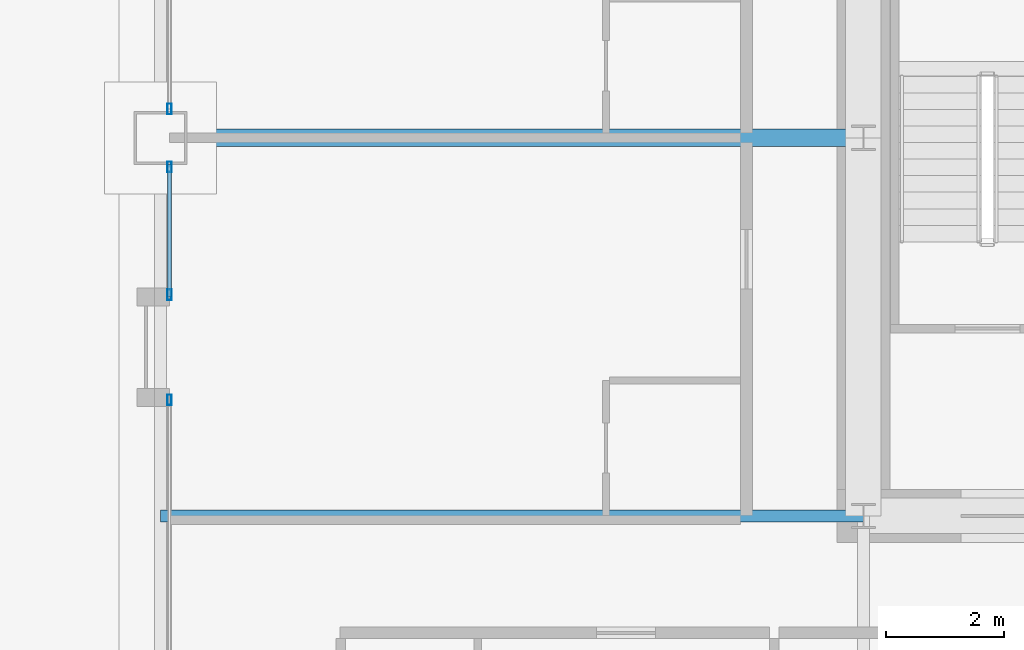
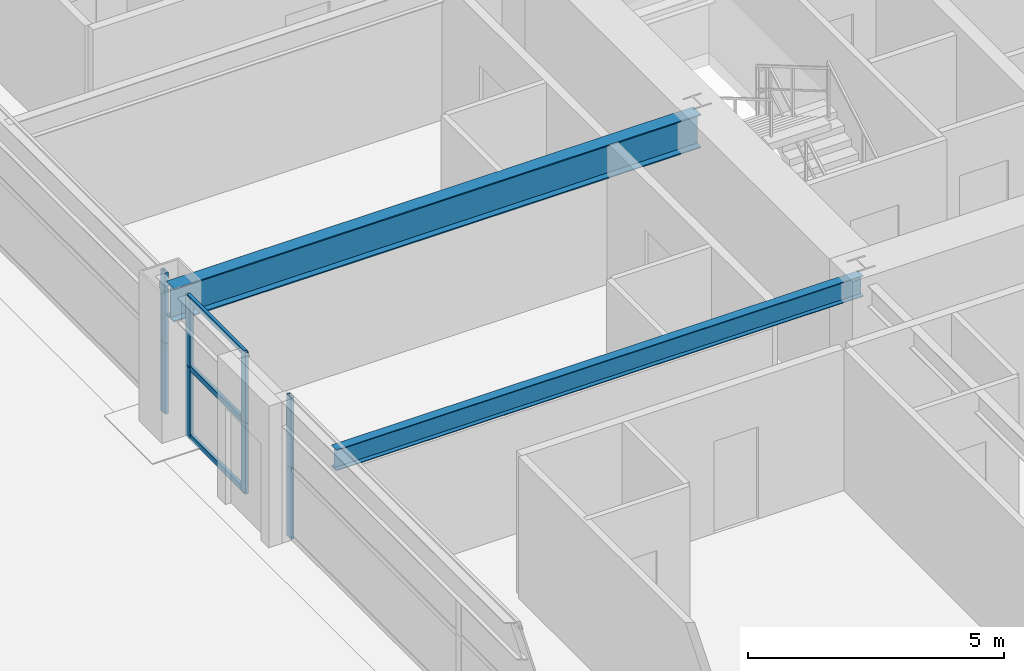
# One storey, part 11 of 45: 11 members, 2 beams, 3 elements without a shape of their own.
"""IFC4 building model written with IfcOpenShell, lengths in metres."""

from ifc_helpers import new_model, si_unit, direction, frame, origin, origin_2d, place, context, subcontext, project, spatial, hollow_rectangle, i_section, extrude, source, transform, mapped, material, layer, layer_set, material_profile, profile_set, type_object, element, aggregate, save


model = new_model("IFC4")

# Units and contexts
model_context = context("Model", 3, precision=1e-05, world=origin(), true_north=direction((0.0, 1.0)))
body_context = subcontext(model_context, "Body", "Model", "MODEL_VIEW")
ifc_project = project(units=[si_unit("LENGTHUNIT", "METRE"), si_unit("AREAUNIT", "SQUARE_METRE"), si_unit("VOLUMEUNIT", "CUBIC_METRE"), si_unit("PLANEANGLEUNIT", "RADIAN"), si_unit("MASSUNIT", "GRAM", prefix="KILO"), si_unit("THERMODYNAMICTEMPERATUREUNIT", "KELVIN"), si_unit("POWERUNIT", "WATT")], contexts=[model_context])

# Site, building, storey
site_placement = place(None, origin())
site = spatial("IfcSite", under=ifc_project, at=site_placement, CompositionType="ELEMENT")
building_placement = place(site_placement, origin())
building = spatial("IfcBuilding", under=site, at=building_placement, Name="Yuzanri Waterfront Tower", CompositionType="ELEMENT")
storey_placement = place(building_placement, frame((0.0, 0.0, 30.60009765625)))
storey = spatial("IfcBuildingStorey", under=building, at=storey_placement, Name="L07", CompositionType="ELEMENT", Elevation=30.60009765625)

# Beams
ifc_material_1 = material(Name="Steel Q355B", Category="steel")
ifc_material_profile_1 = material_profile(ifc_material_1, i_section(OverallWidth=0.300048828125, OverallDepth=0.800048828125, WebThickness=0.013916015625, FlangeThickness=0.02587890625, at=origin_2d()), Name="HN 800x300x14x26")
ifc_profile_set_1 = profile_set([ifc_material_profile_1], Name="Steel Q355B")
beam_type_1 = type_object("IfcBeamType", Name="Primary Floor Girder Q355B HN 800x300", PredefinedType="BEAM", material=ifc_profile_set_1)
shared_shape_1 = source(origin(), body_context, "Body", "SweptSolid", [
    extrude(i_section(OverallWidth=0.300048828125, OverallDepth=0.800048828125, WebThickness=0.013916015625, FlangeThickness=0.02587890625, at=origin_2d()), origin(), (0.0, 0.0, 1.0), 11.900146484375),
])
beam_1_placement = place(storey_placement, frame((23.800048828125, 25.800048828125, 2.97998046875), z_axis=(-1.0, 0.0, 0.0), x_axis=(0.0, -1.0, 0.0)))
element("IfcBeam", 1, at=beam_1_placement, inside=storey, type_object=beam_type_1, Name="L07 West Grid Girder", PredefinedType="BEAM", context=body_context, shape_type="MappedRepresentation", body=[
    mapped(shared_shape_1, transform((0.0, 0.0, 0.0), scale=1.0)),
])
ifc_material_2 = material(Name="Steel Q355B", Category="steel")
ifc_material_profile_2 = material_profile(ifc_material_2, i_section(OverallWidth=0.199951171875, OverallDepth=0.5, WebThickness=0.010009765625, FlangeThickness=0.01611328125, at=origin_2d()), Name="HN 500x200x10x16")
ifc_profile_set_2 = profile_set([ifc_material_profile_2], Name="Steel Q355B")
beam_type_2 = type_object("IfcBeamType", Name="Secondary Floor Beam Q355B HN 500x200", PredefinedType="BEAM", material=ifc_profile_set_2)
shared_shape_2 = source(origin(), body_context, "Body", "SweptSolid", [
    extrude(i_section(OverallWidth=0.199951171875, OverallDepth=0.5, WebThickness=0.010009765625, FlangeThickness=0.01611328125, at=origin_2d()), origin(), (0.0, 0.0, 1.0), 11.900146484375),
])
beam_2_placement = place(storey_placement, frame((23.800048828125, 19.39990234375, 3.1298828125), z_axis=(-1.0, 0.0, 0.0), x_axis=(0.0, -1.0, 0.0)))
element("IfcBeam", 2, at=beam_2_placement, inside=storey, type_object=beam_type_2, Name="L07 West-South Core Line Beam", PredefinedType="BEAM", context=body_context, shape_type="MappedRepresentation", body=[
    mapped(shared_shape_2, transform((0.0, 0.0, 0.0), scale=1.0)),
])

# Curtain wall, members
ifc_material_3 = material(Name="Anodized Architectural Bronze", Category="metal")
ifc_layer = layer(ifc_material_3, 0.159912109375)
ifc_layer_set = layer_set([ifc_layer], Name="Anodized Architectural Bronze")
curtain_wall_type = type_object("IfcCurtainWallType", Name="Anodized Bronze Hotel Lower-Tier Recessed Unitized Curtain Wall 8100", PredefinedType="NOTDEFINED", material=ifc_layer_set)
curtain_wall_1_placement = place(storey_placement, origin())
curtain_wall_1 = element("IfcCurtainWall", 3, at=curtain_wall_1_placement, inside=storey, type_object=curtain_wall_type, Name="L07 Curtain Wall CW-L07-WL1", PredefinedType="NOTDEFINED")
ifc_material_4 = material(Name="Anodized Architectural Bronze", Category="metal")
ifc_material_profile_3 = material_profile(ifc_material_4, hollow_rectangle(XDim=0.070068359375, YDim=0.179931640625, WallThickness=0.00390625, at=origin_2d()), Name="CWM 70x180")
ifc_profile_set_3 = profile_set([ifc_material_profile_3], Name="Anodized Architectural Bronze")
member_type_1 = type_object("IfcMemberType", Name="Anodized Bronze Standard Curtain-Wall Mullion 70x180", PredefinedType="MULLION", material=ifc_profile_set_3)
shared_shape_3 = source(origin(), body_context, "Body", "SweptSolid", [
    extrude(hollow_rectangle(XDim=0.070068359375, YDim=0.179931640625, WallThickness=0.00390625, at=origin_2d()), origin(), (0.0, 0.0, 1.0), 1.68798828125),
])
member_1_placement = place(storey_placement, frame((12.050048828125, 21.364990234375, 0.0), z_axis=(0.0, 0.0, 1.0), x_axis=(1.0, 0.0, 0.0)))
member_1 = element("IfcMember", 4, at=member_1_placement, type_object=member_type_1, Name="CW-L07-WL1 Lower Mullion 02", PredefinedType="MULLION", context=body_context, shape_type="MappedRepresentation", body=[
    mapped(shared_shape_3, transform((0.0, 0.0, 0.0), scale=1.0)),
])
member_2_placement = place(storey_placement, frame((12.050048828125, 21.364990234375, 1.69189453125), z_axis=(0.0, 0.0, 1.0), x_axis=(1.0, 0.0, 0.0)))
member_2 = element("IfcMember", 5, at=member_2_placement, type_object=member_type_1, Name="CW-L07-WL1 Upper Mullion 02", PredefinedType="MULLION", context=body_context, shape_type="MappedRepresentation", body=[
    mapped(shared_shape_3, transform((0.0, 0.0, 0.0), scale=1.0)),
])
aggregate(curtain_wall_1, [member_1, member_2])

curtain_wall_2_placement = place(storey_placement, origin())
curtain_wall_2 = element("IfcCurtainWall", 6, at=curtain_wall_2_placement, inside=storey, type_object=curtain_wall_type, Name="L07 Curtain Wall CW-L07-WL2", PredefinedType="NOTDEFINED")
member_3_placement = place(storey_placement, frame((12.050048828125, 23.14501953125, 0.0), z_axis=(0.0, 0.0, 1.0), x_axis=(1.0, 0.0, 0.0)))
member_3 = element("IfcMember", 7, at=member_3_placement, type_object=member_type_1, Name="CW-L07-WL2 Lower Mullion 00", PredefinedType="MULLION", context=body_context, shape_type="MappedRepresentation", body=[
    mapped(shared_shape_3, transform((0.0, 0.0, 0.0), scale=1.0)),
])
member_4_placement = place(storey_placement, frame((12.050048828125, 23.14501953125, 1.69189453125), z_axis=(0.0, 0.0, 1.0), x_axis=(1.0, 0.0, 0.0)))
member_4 = element("IfcMember", 8, at=member_4_placement, type_object=member_type_1, Name="CW-L07-WL2 Upper Mullion 00", PredefinedType="MULLION", context=body_context, shape_type="MappedRepresentation", body=[
    mapped(shared_shape_3, transform((0.0, 0.0, 0.0), scale=1.0)),
])
member_5_placement = place(storey_placement, frame((12.050048828125, 25.31005859375, 0.0), z_axis=(0.0, 0.0, 1.0), x_axis=(1.0, 0.0, 0.0)))
member_5 = element("IfcMember", 9, at=member_5_placement, type_object=member_type_1, Name="CW-L07-WL2 Lower Mullion 01", PredefinedType="MULLION", context=body_context, shape_type="MappedRepresentation", body=[
    mapped(shared_shape_3, transform((0.0, 0.0, 0.0), scale=1.0)),
])
member_6_placement = place(storey_placement, frame((12.050048828125, 25.31005859375, 1.69189453125), z_axis=(0.0, 0.0, 1.0), x_axis=(1.0, 0.0, 0.0)))
member_6 = element("IfcMember", 10, at=member_6_placement, type_object=member_type_1, Name="CW-L07-WL2 Upper Mullion 01", PredefinedType="MULLION", context=body_context, shape_type="MappedRepresentation", body=[
    mapped(shared_shape_3, transform((0.0, 0.0, 0.0), scale=1.0)),
])

curtain_wall_3_placement = place(storey_placement, origin())
curtain_wall_3 = element("IfcCurtainWall", 11, at=curtain_wall_3_placement, inside=storey, type_object=curtain_wall_type, Name="L07 Curtain Wall CW-L07-WR", PredefinedType="NOTDEFINED")
member_7_placement = place(storey_placement, frame((12.050048828125, 26.2900390625, 0.0), z_axis=(0.0, 0.0, 1.0), x_axis=(1.0, 0.0, 0.0)))
member_7 = element("IfcMember", 12, at=member_7_placement, type_object=member_type_1, Name="CW-L07-WR Lower Mullion 00", PredefinedType="MULLION", context=body_context, shape_type="MappedRepresentation", body=[
    mapped(shared_shape_3, transform((0.0, 0.0, 0.0), scale=1.0)),
])
member_8_placement = place(storey_placement, frame((12.050048828125, 26.2900390625, 1.69189453125), z_axis=(0.0, 0.0, 1.0), x_axis=(1.0, 0.0, 0.0)))
member_8 = element("IfcMember", 13, at=member_8_placement, type_object=member_type_1, Name="CW-L07-WR Upper Mullion 00", PredefinedType="MULLION", context=body_context, shape_type="MappedRepresentation", body=[
    mapped(shared_shape_3, transform((0.0, 0.0, 0.0), scale=1.0)),
])
aggregate(curtain_wall_3, [member_7, member_8])

# Member
ifc_material_5 = material(Name="Anodized Architectural Bronze", Category="metal")
ifc_material_profile_4 = material_profile(ifc_material_5, hollow_rectangle(XDim=0.070068359375, YDim=0.135009765625, WallThickness=0.00341796875, at=origin_2d()), Name="CWT 70x135")
ifc_profile_set_4 = profile_set([ifc_material_profile_4], Name="Anodized Architectural Bronze")
member_type_2 = type_object("IfcMemberType", Name="Anodized Bronze Standard Curtain-Wall Transom 70x135", PredefinedType="USERDEFINED", material=ifc_profile_set_4)
shared_shape_4 = source(origin(), body_context, "Body", "SweptSolid", [
    extrude(hollow_rectangle(XDim=0.070068359375, YDim=0.135009765625, WallThickness=0.00341796875, at=origin_2d()), origin(), (0.0, 0.0, 1.0), 2.2451171875),
])
member_9_placement = place(storey_placement, frame((12.050048828125, 23.10498046875, 0.0498046875), z_axis=(0.0, 1.0, 0.0), x_axis=(-1.0, 0.0, 0.0)))
member_9 = element("IfcMember", 14, at=member_9_placement, type_object=member_type_2, Name="CW-L07-WL2 Transom 1", ObjectType="TRANSOM", PredefinedType="USERDEFINED", context=body_context, shape_type="MappedRepresentation", body=[
    mapped(shared_shape_4, transform((0.0, 0.0, 0.0), scale=1.0)),
])

member_10_placement = place(storey_placement, frame((12.050048828125, 23.10498046875, 1.68994140625), z_axis=(0.0, 1.0, 0.0), x_axis=(-1.0, 0.0, 0.0)))
member_10 = element("IfcMember", 15, at=member_10_placement, type_object=member_type_2, Name="CW-L07-WL2 Transom 2", ObjectType="TRANSOM", PredefinedType="USERDEFINED", context=body_context, shape_type="MappedRepresentation", body=[
    mapped(shared_shape_4, transform((0.0, 0.0, 0.0), scale=1.0)),
])

member_11_placement = place(storey_placement, frame((12.050048828125, 23.10498046875, 3.329833984375), z_axis=(0.0, 1.0, 0.0), x_axis=(-1.0, 0.0, 0.0)))
member_11 = element("IfcMember", 16, at=member_11_placement, type_object=member_type_2, Name="CW-L07-WL2 Transom 3", ObjectType="TRANSOM", PredefinedType="USERDEFINED", context=body_context, shape_type="MappedRepresentation", body=[
    mapped(shared_shape_4, transform((0.0, 0.0, 0.0), scale=1.0)),
])

aggregate(curtain_wall_2, [member_3, member_4, member_5, member_6, member_9, member_10, member_11])

save(model, "model.ifc")
